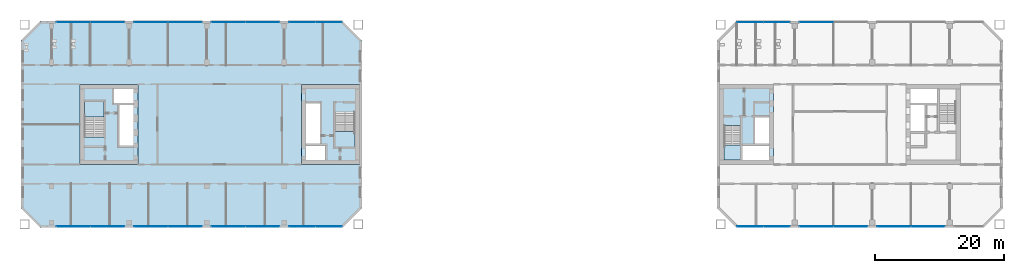
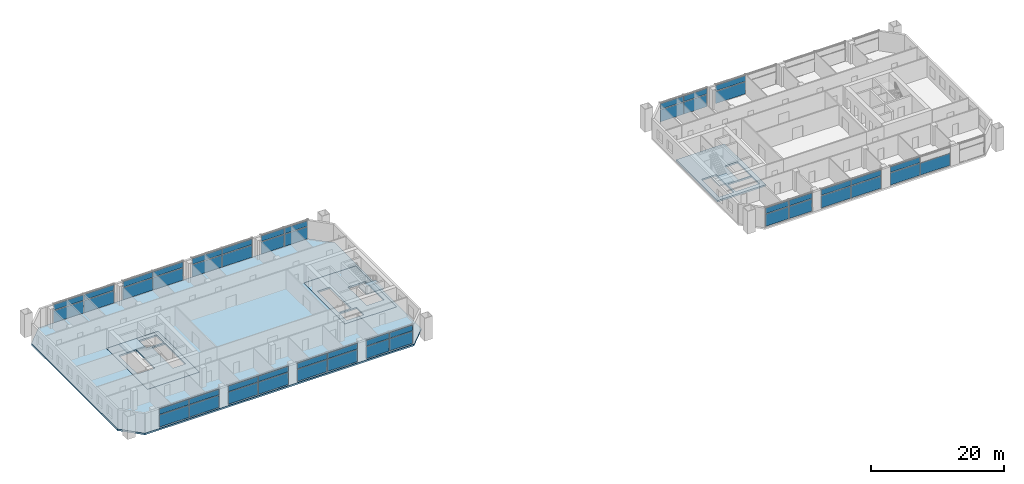
# One storey, part 8 of 19: 49 plates, 7 slabs, 16 elements without a shape of their own.
"""IFC4 building model written with IfcOpenShell, lengths in metres."""

from ifc_helpers import new_model, si_unit, direction, frame, origin, origin_2d, place, context, subcontext, project, spatial, polyline, rectangle, outline, extrude, material, layer, layer_set, type_object, element, aggregate, save


model = new_model("IFC4")

# Units and contexts
model_context = context("Model", 3, precision=1e-05, world=origin(), true_north=direction((0.0, 1.0)))
body_context = subcontext(model_context, "Body", "Model", "MODEL_VIEW")
ifc_project = project(units=[si_unit("LENGTHUNIT", "METRE"), si_unit("AREAUNIT", "SQUARE_METRE"), si_unit("VOLUMEUNIT", "CUBIC_METRE"), si_unit("PLANEANGLEUNIT", "RADIAN"), si_unit("MASSUNIT", "GRAM", prefix="KILO")], contexts=[model_context])

# Site, building, storey
site_placement = place(None, origin())
site = spatial("IfcSite", under=ifc_project, at=site_placement, CompositionType="ELEMENT")
building_placement = place(site_placement, origin())
building = spatial("IfcBuilding", under=site, at=building_placement, Name="Tuart Gate Housing", CompositionType="ELEMENT")
storey_placement = place(building_placement, frame((0.0, 0.0, 67.39990234375)))
storey = spatial("IfcBuildingStorey", under=building, at=storey_placement, Name="L18", CompositionType="ELEMENT", Elevation=67.39990234375)

# Slabs
ifc_material_1 = material(Name="Concrete C40", Category="concrete")
ifc_layer_1 = layer(ifc_material_1, 0.300048828125)
ifc_layer_set_1 = layer_set([ifc_layer_1], Name="Core floor slab 300")
slab_type_1 = type_object("IfcSlabType", Name="Core floor slab 300", PredefinedType="FLOOR", material=ifc_layer_set_1)
slab_1_placement = place(storey_placement, frame((0.0, 0.0, -0.2998046875)))
element("IfcSlab", 1, at=slab_1_placement, inside=storey, type_object=slab_type_1, Name="Core floor AG", PredefinedType="FLOOR", context=body_context, shape_type="SweptSolid", body=[
    extrude(outline(polyline([(66.639892578125, 63.800048828125), (75.639892578125, 63.800048828125), (75.639892578125, 76.199951171875), (66.639892578125, 76.199951171875), (66.639892578125, 63.800048828125)]), holes=[polyline([(67.340087890625, 64.5), (70.360107421875, 64.5), (70.360107421875, 66.699951171875), (67.340087890625, 66.699951171875), (67.340087890625, 64.5)]), polyline([(67.340087890625, 67.0), (69.5400390625, 67.0), (69.5400390625, 73.300048828125), (67.340087890625, 73.300048828125), (67.340087890625, 67.0)]), polyline([(71.889892578125, 66.35009765625), (74.93994140625, 66.35009765625), (74.93994140625, 71.929931640625), (71.889892578125, 71.929931640625), (71.889892578125, 66.35009765625)])]), origin(), (0.0, 0.0, 1.0), 0.2998046875),
])
slab_2_placement = place(storey_placement, frame((0.0, 0.0, -0.2998046875)))
element("IfcSlab", 2, at=slab_2_placement, inside=storey, type_object=slab_type_1, Name="Core floor AK", PredefinedType="FLOOR", context=body_context, shape_type="SweptSolid", body=[
    extrude(outline(polyline([(32.360107421875, 63.800048828125), (41.360107421875, 63.800048828125), (41.360107421875, 76.199951171875), (32.360107421875, 76.199951171875), (32.360107421875, 63.800048828125)]), holes=[polyline([(40.659912109375, 75.5), (37.639892578125, 75.5), (37.639892578125, 73.300048828125), (40.659912109375, 73.300048828125), (40.659912109375, 75.5)]), polyline([(40.659912109375, 73.0), (38.4599609375, 73.0), (38.4599609375, 66.699951171875), (40.659912109375, 66.699951171875), (40.659912109375, 73.0)]), polyline([(36.110107421875, 73.64990234375), (33.06005859375, 73.64990234375), (33.06005859375, 68.070068359375), (36.110107421875, 68.070068359375), (36.110107421875, 73.64990234375)])]), origin(), (0.0, 0.0, 1.0), 0.2998046875),
])
slab_3_placement = place(storey_placement, frame((0.0, 0.0, -0.2998046875)))
element("IfcSlab", 3, at=slab_3_placement, inside=storey, type_object=slab_type_1, Name="Core floor BG", PredefinedType="FLOOR", context=body_context, shape_type="SweptSolid", body=[
    extrude(outline(polyline([(131.360107421875, 63.800048828125), (139.760009765625, 63.800048828125), (139.760009765625, 76.199951171875), (131.360107421875, 76.199951171875), (131.360107421875, 63.800048828125)]), holes=[polyline([(139.06005859375, 66.85009765625), (134.909912109375, 66.85009765625), (134.909912109375, 64.5), (139.06005859375, 64.5), (139.06005859375, 66.85009765625)]), polyline([(139.06005859375, 71.10009765625), (136.860107421875, 71.10009765625), (136.860107421875, 67.0), (139.06005859375, 67.0), (139.06005859375, 71.10009765625)]), polyline([(134.610107421875, 69.830078125), (132.06005859375, 69.830078125), (132.06005859375, 64.5), (134.610107421875, 64.5), (134.610107421875, 69.830078125)])]), origin(), (0.0, 0.0, 1.0), 0.2998046875),
])
ifc_material_2 = material(Name="Concrete C40", Category="concrete")
ifc_layer_2 = layer(ifc_material_2, 0.300048828125)
ifc_layer_set_2 = layer_set([ifc_layer_2], Name="Flat plate 300")
slab_type_2 = type_object("IfcSlabType", Name="Flat plate 300", PredefinedType="FLOOR", material=ifc_layer_set_2)
slab_4_placement = place(storey_placement, frame((0.0, 0.0, -0.2998046875)))
element("IfcSlab", 4, at=slab_4_placement, inside=storey, type_object=slab_type_2, Name="Floor slab A L18", PredefinedType="FLOOR", context=body_context, shape_type="SweptSolid", body=[
    extrude(outline(polyline([(26.25, 86.0), (23.25, 83.0), (23.25, 57.0), (26.25, 54.0), (73.0, 54.0), (76.0, 57.0), (76.0, 83.0), (73.0, 86.0), (26.25, 86.0)]), holes=[polyline([(66.639892578125, 76.199951171875), (75.639892578125, 76.199951171875), (75.639892578125, 63.800048828125), (66.639892578125, 63.800048828125), (66.639892578125, 76.199951171875)]), polyline([(41.360107421875, 76.199951171875), (41.360107421875, 63.800048828125), (32.360107421875, 63.800048828125), (32.360107421875, 76.199951171875), (41.360107421875, 76.199951171875)])]), origin(), (0.0, 0.0, 1.0), 0.2998046875),
])

# Curtain wall, plates
ifc_material_3 = material(Name="Aluminium and clear glass", Category="aluminium")
curtain_wall_type = type_object("IfcCurtainWallType", Name="Community floor glazing", PredefinedType="USERDEFINED", material=ifc_material_3)
curtain_wall_1_placement = place(storey_placement, origin())
curtain_wall_1 = element("IfcCurtainWall", 5, at=curtain_wall_1_placement, inside=storey, type_object=curtain_wall_type, Name="Community floor glazing A-S L18", ObjectType="COMMUNITY FLOOR GLAZING", PredefinedType="USERDEFINED")
ifc_material_4 = material(Name="Clear glass", Category="glass")
ifc_layer_3 = layer(ifc_material_4, 0.028076171875)
ifc_layer_set_3 = layer_set([ifc_layer_3], Name="Glazed panel 28")
plate_type_1 = type_object("IfcPlateType", Name="Glazed panel 28", PredefinedType="CURTAIN_PANEL", material=ifc_layer_set_3)
plate_1_placement = place(storey_placement, frame((31.364990234375, 54.179931640625, 0.1201171875), z_axis=(0.0, 0.0, 1.0), x_axis=(1.0, 0.0, 0.0)))
plate_1 = element("IfcPlate", 6, at=plate_1_placement, type_object=plate_type_1, Name="CW3 panel 1.1", PredefinedType="CURTAIN_PANEL", context=body_context, shape_type="SweptSolid", body=[
    extrude(rectangle(XDim=5.2099609375, YDim=0.028076171875, at=origin_2d()), origin(), (0.0, 0.0, 1.0), 2.219970703125),
])
plate_2_placement = place(storey_placement, frame((31.364990234375, 54.179931640625, 2.460205078125), z_axis=(0.0, 0.0, 1.0), x_axis=(1.0, 0.0, 0.0)))
plate_2 = element("IfcPlate", 7, at=plate_2_placement, type_object=plate_type_1, Name="CW3 panel 1.2", PredefinedType="CURTAIN_PANEL", context=body_context, shape_type="SweptSolid", body=[
    extrude(rectangle(XDim=5.2099609375, YDim=0.028076171875, at=origin_2d()), origin(), (0.0, 0.0, 1.0), 1.02001953125),
])
plate_3_placement = place(storey_placement, frame((36.635009765625, 54.179931640625, 0.1201171875), z_axis=(0.0, 0.0, 1.0), x_axis=(1.0, 0.0, 0.0)))
plate_3 = element("IfcPlate", 8, at=plate_3_placement, type_object=plate_type_1, Name="CW3 panel 2.1", PredefinedType="CURTAIN_PANEL", context=body_context, shape_type="SweptSolid", body=[
    extrude(rectangle(XDim=5.2099609375, YDim=0.028076171875, at=origin_2d()), origin(), (0.0, 0.0, 1.0), 2.219970703125),
])
plate_4_placement = place(storey_placement, frame((36.635009765625, 54.179931640625, 2.460205078125), z_axis=(0.0, 0.0, 1.0), x_axis=(1.0, 0.0, 0.0)))
plate_4 = element("IfcPlate", 9, at=plate_4_placement, type_object=plate_type_1, Name="CW3 panel 2.2", PredefinedType="CURTAIN_PANEL", context=body_context, shape_type="SweptSolid", body=[
    extrude(rectangle(XDim=5.2099609375, YDim=0.028076171875, at=origin_2d()), origin(), (0.0, 0.0, 1.0), 1.02001953125),
])
aggregate(curtain_wall_1, [plate_1, plate_2, plate_3, plate_4])

curtain_wall_2_placement = place(storey_placement, origin())
curtain_wall_2 = element("IfcCurtainWall", 10, at=curtain_wall_2_placement, inside=storey, type_object=curtain_wall_type, Name="Community floor glazing A-S L18", ObjectType="COMMUNITY FLOOR GLAZING", PredefinedType="USERDEFINED")
plate_5_placement = place(storey_placement, frame((43.364990234375, 54.179931640625, 0.1201171875), z_axis=(0.0, 0.0, 1.0), x_axis=(1.0, 0.0, 0.0)))
plate_5 = element("IfcPlate", 11, at=plate_5_placement, type_object=plate_type_1, Name="CW3 panel 1.1", PredefinedType="CURTAIN_PANEL", context=body_context, shape_type="SweptSolid", body=[
    extrude(rectangle(XDim=5.2099609375, YDim=0.028076171875, at=origin_2d()), origin(), (0.0, 0.0, 1.0), 2.219970703125),
])
plate_6_placement = place(storey_placement, frame((43.364990234375, 54.179931640625, 2.460205078125), z_axis=(0.0, 0.0, 1.0), x_axis=(1.0, 0.0, 0.0)))
plate_6 = element("IfcPlate", 12, at=plate_6_placement, type_object=plate_type_1, Name="CW3 panel 1.2", PredefinedType="CURTAIN_PANEL", context=body_context, shape_type="SweptSolid", body=[
    extrude(rectangle(XDim=5.2099609375, YDim=0.028076171875, at=origin_2d()), origin(), (0.0, 0.0, 1.0), 1.02001953125),
])
plate_7_placement = place(storey_placement, frame((48.635009765625, 54.179931640625, 0.1201171875), z_axis=(0.0, 0.0, 1.0), x_axis=(1.0, 0.0, 0.0)))
plate_7 = element("IfcPlate", 13, at=plate_7_placement, type_object=plate_type_1, Name="CW3 panel 2.1", PredefinedType="CURTAIN_PANEL", context=body_context, shape_type="SweptSolid", body=[
    extrude(rectangle(XDim=5.2099609375, YDim=0.028076171875, at=origin_2d()), origin(), (0.0, 0.0, 1.0), 2.219970703125),
])
plate_8_placement = place(storey_placement, frame((48.635009765625, 54.179931640625, 2.460205078125), z_axis=(0.0, 0.0, 1.0), x_axis=(1.0, 0.0, 0.0)))
plate_8 = element("IfcPlate", 14, at=plate_8_placement, type_object=plate_type_1, Name="CW3 panel 2.2", PredefinedType="CURTAIN_PANEL", context=body_context, shape_type="SweptSolid", body=[
    extrude(rectangle(XDim=5.2099609375, YDim=0.028076171875, at=origin_2d()), origin(), (0.0, 0.0, 1.0), 1.02001953125),
])
aggregate(curtain_wall_2, [plate_5, plate_6, plate_7, plate_8])

curtain_wall_3_placement = place(storey_placement, origin())
curtain_wall_3 = element("IfcCurtainWall", 15, at=curtain_wall_3_placement, inside=storey, type_object=curtain_wall_type, Name="Community floor glazing A-S L18", ObjectType="COMMUNITY FLOOR GLAZING", PredefinedType="USERDEFINED")
plate_9_placement = place(storey_placement, frame((55.364990234375, 54.179931640625, 0.1201171875), z_axis=(0.0, 0.0, 1.0), x_axis=(1.0, 0.0, 0.0)))
plate_9 = element("IfcPlate", 16, at=plate_9_placement, type_object=plate_type_1, Name="CW3 panel 1.1", PredefinedType="CURTAIN_PANEL", context=body_context, shape_type="SweptSolid", body=[
    extrude(rectangle(XDim=5.2099609375, YDim=0.028076171875, at=origin_2d()), origin(), (0.0, 0.0, 1.0), 2.219970703125),
])
plate_10_placement = place(storey_placement, frame((55.364990234375, 54.179931640625, 2.460205078125), z_axis=(0.0, 0.0, 1.0), x_axis=(1.0, 0.0, 0.0)))
plate_10 = element("IfcPlate", 17, at=plate_10_placement, type_object=plate_type_1, Name="CW3 panel 1.2", PredefinedType="CURTAIN_PANEL", context=body_context, shape_type="SweptSolid", body=[
    extrude(rectangle(XDim=5.2099609375, YDim=0.028076171875, at=origin_2d()), origin(), (0.0, 0.0, 1.0), 1.02001953125),
])
plate_11_placement = place(storey_placement, frame((60.635009765625, 54.179931640625, 0.1201171875), z_axis=(0.0, 0.0, 1.0), x_axis=(1.0, 0.0, 0.0)))
plate_11 = element("IfcPlate", 18, at=plate_11_placement, type_object=plate_type_1, Name="CW3 panel 2.1", PredefinedType="CURTAIN_PANEL", context=body_context, shape_type="SweptSolid", body=[
    extrude(rectangle(XDim=5.2099609375, YDim=0.028076171875, at=origin_2d()), origin(), (0.0, 0.0, 1.0), 2.219970703125),
])
plate_12_placement = place(storey_placement, frame((60.635009765625, 54.179931640625, 2.460205078125), z_axis=(0.0, 0.0, 1.0), x_axis=(1.0, 0.0, 0.0)))
plate_12 = element("IfcPlate", 19, at=plate_12_placement, type_object=plate_type_1, Name="CW3 panel 2.2", PredefinedType="CURTAIN_PANEL", context=body_context, shape_type="SweptSolid", body=[
    extrude(rectangle(XDim=5.2099609375, YDim=0.028076171875, at=origin_2d()), origin(), (0.0, 0.0, 1.0), 1.02001953125),
])
aggregate(curtain_wall_3, [plate_9, plate_10, plate_11, plate_12])

curtain_wall_4_placement = place(storey_placement, origin())
curtain_wall_4 = element("IfcCurtainWall", 20, at=curtain_wall_4_placement, inside=storey, type_object=curtain_wall_type, Name="Community floor glazing A-S L18", ObjectType="COMMUNITY FLOOR GLAZING", PredefinedType="USERDEFINED")
plate_13_placement = place(storey_placement, frame((66.771484375, 54.179931640625, 0.1201171875), z_axis=(0.0, 0.0, 1.0), x_axis=(1.0, 0.0, 0.0)))
plate_13 = element("IfcPlate", 21, at=plate_13_placement, type_object=plate_type_1, Name="CW3 panel 1.1", PredefinedType="CURTAIN_PANEL", context=body_context, shape_type="SweptSolid", body=[
    extrude(rectangle(XDim=4.022705078125, YDim=0.028076171875, at=origin_2d()), origin(), (0.0, 0.0, 1.0), 2.219970703125),
])
plate_14_placement = place(storey_placement, frame((66.771484375, 54.179931640625, 2.460205078125), z_axis=(0.0, 0.0, 1.0), x_axis=(1.0, 0.0, 0.0)))
plate_14 = element("IfcPlate", 22, at=plate_14_placement, type_object=plate_type_1, Name="CW3 panel 1.2", PredefinedType="CURTAIN_PANEL", context=body_context, shape_type="SweptSolid", body=[
    extrude(rectangle(XDim=4.022705078125, YDim=0.028076171875, at=origin_2d()), origin(), (0.0, 0.0, 1.0), 1.02001953125),
])

curtain_wall_5_placement = place(storey_placement, origin())
curtain_wall_5 = element("IfcCurtainWall", 23, at=curtain_wall_5_placement, inside=storey, type_object=curtain_wall_type, Name="Community floor glazing A-N L18", ObjectType="COMMUNITY FLOOR GLAZING", PredefinedType="USERDEFINED")
plate_15_placement = place(storey_placement, frame((66.771240234375, 85.820068359375, 0.1201171875), z_axis=(0.0, 0.0, 1.0), x_axis=(-1.0, 0.0, 0.0)))
plate_15 = element("IfcPlate", 24, at=plate_15_placement, type_object=plate_type_1, Name="CW3 panel 2.1", PredefinedType="CURTAIN_PANEL", context=body_context, shape_type="SweptSolid", body=[
    extrude(rectangle(XDim=4.022705078125, YDim=0.028076171875, at=origin_2d()), origin(), (0.0, 0.0, 1.0), 2.219970703125),
])
plate_16_placement = place(storey_placement, frame((66.771240234375, 85.820068359375, 2.460205078125), z_axis=(0.0, 0.0, 1.0), x_axis=(-1.0, 0.0, 0.0)))
plate_16 = element("IfcPlate", 25, at=plate_16_placement, type_object=plate_type_1, Name="CW3 panel 2.2", PredefinedType="CURTAIN_PANEL", context=body_context, shape_type="SweptSolid", body=[
    extrude(rectangle(XDim=4.022705078125, YDim=0.028076171875, at=origin_2d()), origin(), (0.0, 0.0, 1.0), 1.02001953125),
])

curtain_wall_6_placement = place(storey_placement, origin())
curtain_wall_6 = element("IfcCurtainWall", 26, at=curtain_wall_6_placement, inside=storey, type_object=curtain_wall_type, Name="Community floor glazing A-N L18", ObjectType="COMMUNITY FLOOR GLAZING", PredefinedType="USERDEFINED")
plate_17_placement = place(storey_placement, frame((60.635009765625, 85.820068359375, 0.1201171875), z_axis=(0.0, 0.0, 1.0), x_axis=(-1.0, 0.0, 0.0)))
plate_17 = element("IfcPlate", 27, at=plate_17_placement, type_object=plate_type_1, Name="CW3 panel 1.1", PredefinedType="CURTAIN_PANEL", context=body_context, shape_type="SweptSolid", body=[
    extrude(rectangle(XDim=5.2099609375, YDim=0.028076171875, at=origin_2d()), origin(), (0.0, 0.0, 1.0), 2.219970703125),
])
plate_18_placement = place(storey_placement, frame((60.635009765625, 85.820068359375, 2.460205078125), z_axis=(0.0, 0.0, 1.0), x_axis=(-1.0, 0.0, 0.0)))
plate_18 = element("IfcPlate", 28, at=plate_18_placement, type_object=plate_type_1, Name="CW3 panel 1.2", PredefinedType="CURTAIN_PANEL", context=body_context, shape_type="SweptSolid", body=[
    extrude(rectangle(XDim=5.2099609375, YDim=0.028076171875, at=origin_2d()), origin(), (0.0, 0.0, 1.0), 1.02001953125),
])
plate_19_placement = place(storey_placement, frame((55.364990234375, 85.820068359375, 0.1201171875), z_axis=(0.0, 0.0, 1.0), x_axis=(-1.0, 0.0, 0.0)))
plate_19 = element("IfcPlate", 29, at=plate_19_placement, type_object=plate_type_1, Name="CW3 panel 2.1", PredefinedType="CURTAIN_PANEL", context=body_context, shape_type="SweptSolid", body=[
    extrude(rectangle(XDim=5.2099609375, YDim=0.028076171875, at=origin_2d()), origin(), (0.0, 0.0, 1.0), 2.219970703125),
])
plate_20_placement = place(storey_placement, frame((55.364990234375, 85.820068359375, 2.460205078125), z_axis=(0.0, 0.0, 1.0), x_axis=(-1.0, 0.0, 0.0)))
plate_20 = element("IfcPlate", 30, at=plate_20_placement, type_object=plate_type_1, Name="CW3 panel 2.2", PredefinedType="CURTAIN_PANEL", context=body_context, shape_type="SweptSolid", body=[
    extrude(rectangle(XDim=5.2099609375, YDim=0.028076171875, at=origin_2d()), origin(), (0.0, 0.0, 1.0), 1.02001953125),
])
aggregate(curtain_wall_6, [plate_17, plate_18, plate_19, plate_20])

curtain_wall_7_placement = place(storey_placement, origin())
curtain_wall_7 = element("IfcCurtainWall", 31, at=curtain_wall_7_placement, inside=storey, type_object=curtain_wall_type, Name="Community floor glazing A-N L18", ObjectType="COMMUNITY FLOOR GLAZING", PredefinedType="USERDEFINED")
plate_21_placement = place(storey_placement, frame((48.635009765625, 85.820068359375, 0.1201171875), z_axis=(0.0, 0.0, 1.0), x_axis=(-1.0, 0.0, 0.0)))
plate_21 = element("IfcPlate", 32, at=plate_21_placement, type_object=plate_type_1, Name="CW3 panel 1.1", PredefinedType="CURTAIN_PANEL", context=body_context, shape_type="SweptSolid", body=[
    extrude(rectangle(XDim=5.2099609375, YDim=0.028076171875, at=origin_2d()), origin(), (0.0, 0.0, 1.0), 2.219970703125),
])
plate_22_placement = place(storey_placement, frame((48.635009765625, 85.820068359375, 2.460205078125), z_axis=(0.0, 0.0, 1.0), x_axis=(-1.0, 0.0, 0.0)))
plate_22 = element("IfcPlate", 33, at=plate_22_placement, type_object=plate_type_1, Name="CW3 panel 1.2", PredefinedType="CURTAIN_PANEL", context=body_context, shape_type="SweptSolid", body=[
    extrude(rectangle(XDim=5.2099609375, YDim=0.028076171875, at=origin_2d()), origin(), (0.0, 0.0, 1.0), 1.02001953125),
])
plate_23_placement = place(storey_placement, frame((43.364990234375, 85.820068359375, 0.1201171875), z_axis=(0.0, 0.0, 1.0), x_axis=(-1.0, 0.0, 0.0)))
plate_23 = element("IfcPlate", 34, at=plate_23_placement, type_object=plate_type_1, Name="CW3 panel 2.1", PredefinedType="CURTAIN_PANEL", context=body_context, shape_type="SweptSolid", body=[
    extrude(rectangle(XDim=5.2099609375, YDim=0.028076171875, at=origin_2d()), origin(), (0.0, 0.0, 1.0), 2.219970703125),
])
plate_24_placement = place(storey_placement, frame((43.364990234375, 85.820068359375, 2.460205078125), z_axis=(0.0, 0.0, 1.0), x_axis=(-1.0, 0.0, 0.0)))
plate_24 = element("IfcPlate", 35, at=plate_24_placement, type_object=plate_type_1, Name="CW3 panel 2.2", PredefinedType="CURTAIN_PANEL", context=body_context, shape_type="SweptSolid", body=[
    extrude(rectangle(XDim=5.2099609375, YDim=0.028076171875, at=origin_2d()), origin(), (0.0, 0.0, 1.0), 1.02001953125),
])
aggregate(curtain_wall_7, [plate_21, plate_22, plate_23, plate_24])

curtain_wall_8_placement = place(storey_placement, origin())
curtain_wall_8 = element("IfcCurtainWall", 36, at=curtain_wall_8_placement, inside=storey, type_object=curtain_wall_type, Name="Community floor glazing A-N L18", ObjectType="COMMUNITY FLOOR GLAZING", PredefinedType="USERDEFINED")
plate_25_placement = place(storey_placement, frame((36.635009765625, 85.820068359375, 0.1201171875), z_axis=(0.0, 0.0, 1.0), x_axis=(-1.0, 0.0, 0.0)))
plate_25 = element("IfcPlate", 37, at=plate_25_placement, type_object=plate_type_1, Name="CW3 panel 1.1", PredefinedType="CURTAIN_PANEL", context=body_context, shape_type="SweptSolid", body=[
    extrude(rectangle(XDim=5.2099609375, YDim=0.028076171875, at=origin_2d()), origin(), (0.0, 0.0, 1.0), 2.219970703125),
])
plate_26_placement = place(storey_placement, frame((36.635009765625, 85.820068359375, 2.460205078125), z_axis=(0.0, 0.0, 1.0), x_axis=(-1.0, 0.0, 0.0)))
plate_26 = element("IfcPlate", 38, at=plate_26_placement, type_object=plate_type_1, Name="CW3 panel 1.2", PredefinedType="CURTAIN_PANEL", context=body_context, shape_type="SweptSolid", body=[
    extrude(rectangle(XDim=5.2099609375, YDim=0.028076171875, at=origin_2d()), origin(), (0.0, 0.0, 1.0), 1.02001953125),
])
plate_27_placement = place(storey_placement, frame((31.364990234375, 85.820068359375, 0.1201171875), z_axis=(0.0, 0.0, 1.0), x_axis=(-1.0, 0.0, 0.0)))
plate_27 = element("IfcPlate", 39, at=plate_27_placement, type_object=plate_type_1, Name="CW3 panel 2.1", PredefinedType="CURTAIN_PANEL", context=body_context, shape_type="SweptSolid", body=[
    extrude(rectangle(XDim=5.2099609375, YDim=0.028076171875, at=origin_2d()), origin(), (0.0, 0.0, 1.0), 2.219970703125),
])
plate_28_placement = place(storey_placement, frame((31.364990234375, 85.820068359375, 2.460205078125), z_axis=(0.0, 0.0, 1.0), x_axis=(-1.0, 0.0, 0.0)))
plate_28 = element("IfcPlate", 40, at=plate_28_placement, type_object=plate_type_1, Name="CW3 panel 2.2", PredefinedType="CURTAIN_PANEL", context=body_context, shape_type="SweptSolid", body=[
    extrude(rectangle(XDim=5.2099609375, YDim=0.028076171875, at=origin_2d()), origin(), (0.0, 0.0, 1.0), 1.02001953125),
])
aggregate(curtain_wall_8, [plate_25, plate_26, plate_27, plate_28])

curtain_wall_9_placement = place(storey_placement, origin())
curtain_wall_9 = element("IfcCurtainWall", 41, at=curtain_wall_9_placement, inside=storey, type_object=curtain_wall_type, Name="Community floor glazing B-S L18", ObjectType="COMMUNITY FLOOR GLAZING", PredefinedType="USERDEFINED")
plate_29_placement = place(storey_placement, frame((136.14599609375, 54.179931640625, 0.1201171875), z_axis=(0.0, 0.0, 1.0), x_axis=(1.0, 0.0, 0.0)))
plate_29 = element("IfcPlate", 42, at=plate_29_placement, type_object=plate_type_1, Name="CW3 panel 1.1", PredefinedType="CURTAIN_PANEL", context=body_context, shape_type="SweptSolid", body=[
    extrude(rectangle(XDim=4.022705078125, YDim=0.028076171875, at=origin_2d()), origin(), (0.0, 0.0, 1.0), 2.219970703125),
])
plate_30_placement = place(storey_placement, frame((140.228759765625, 54.179931640625, 0.1201171875), z_axis=(0.0, 0.0, 1.0), x_axis=(1.0, 0.0, 0.0)))
plate_30 = element("IfcPlate", 43, at=plate_30_placement, type_object=plate_type_1, Name="CW3 panel 2.1", PredefinedType="CURTAIN_PANEL", context=body_context, shape_type="SweptSolid", body=[
    extrude(rectangle(XDim=4.022705078125, YDim=0.028076171875, at=origin_2d()), origin(), (0.0, 0.0, 1.0), 2.219970703125),
])
plate_31_placement = place(storey_placement, frame((140.228759765625, 54.179931640625, 2.460205078125), z_axis=(0.0, 0.0, 1.0), x_axis=(1.0, 0.0, 0.0)))
plate_31 = element("IfcPlate", 44, at=plate_31_placement, type_object=plate_type_1, Name="CW3 panel 2.2", PredefinedType="CURTAIN_PANEL", context=body_context, shape_type="SweptSolid", body=[
    extrude(rectangle(XDim=4.022705078125, YDim=0.028076171875, at=origin_2d()), origin(), (0.0, 0.0, 1.0), 1.02001953125),
])

curtain_wall_10_placement = place(storey_placement, origin())
curtain_wall_10 = element("IfcCurtainWall", 45, at=curtain_wall_10_placement, inside=storey, type_object=curtain_wall_type, Name="Community floor glazing B-S L18", ObjectType="COMMUNITY FLOOR GLAZING", PredefinedType="USERDEFINED")
plate_32_placement = place(storey_placement, frame((146.364990234375, 54.179931640625, 0.1201171875), z_axis=(0.0, 0.0, 1.0), x_axis=(1.0, 0.0, 0.0)))
plate_32 = element("IfcPlate", 46, at=plate_32_placement, type_object=plate_type_1, Name="CW3 panel 1.1", PredefinedType="CURTAIN_PANEL", context=body_context, shape_type="SweptSolid", body=[
    extrude(rectangle(XDim=5.2099609375, YDim=0.028076171875, at=origin_2d()), origin(), (0.0, 0.0, 1.0), 2.219970703125),
])
plate_33_placement = place(storey_placement, frame((146.364990234375, 54.179931640625, 2.460205078125), z_axis=(0.0, 0.0, 1.0), x_axis=(1.0, 0.0, 0.0)))
plate_33 = element("IfcPlate", 47, at=plate_33_placement, type_object=plate_type_1, Name="CW3 panel 1.2", PredefinedType="CURTAIN_PANEL", context=body_context, shape_type="SweptSolid", body=[
    extrude(rectangle(XDim=5.2099609375, YDim=0.028076171875, at=origin_2d()), origin(), (0.0, 0.0, 1.0), 1.02001953125),
])
plate_34_placement = place(storey_placement, frame((151.635009765625, 54.179931640625, 0.1201171875), z_axis=(0.0, 0.0, 1.0), x_axis=(1.0, 0.0, 0.0)))
plate_34 = element("IfcPlate", 48, at=plate_34_placement, type_object=plate_type_1, Name="CW3 panel 2.1", PredefinedType="CURTAIN_PANEL", context=body_context, shape_type="SweptSolid", body=[
    extrude(rectangle(XDim=5.2099609375, YDim=0.028076171875, at=origin_2d()), origin(), (0.0, 0.0, 1.0), 2.219970703125),
])
plate_35_placement = place(storey_placement, frame((151.635009765625, 54.179931640625, 2.460205078125), z_axis=(0.0, 0.0, 1.0), x_axis=(1.0, 0.0, 0.0)))
plate_35 = element("IfcPlate", 49, at=plate_35_placement, type_object=plate_type_1, Name="CW3 panel 2.2", PredefinedType="CURTAIN_PANEL", context=body_context, shape_type="SweptSolid", body=[
    extrude(rectangle(XDim=5.2099609375, YDim=0.028076171875, at=origin_2d()), origin(), (0.0, 0.0, 1.0), 1.02001953125),
])
aggregate(curtain_wall_10, [plate_32, plate_33, plate_34, plate_35])

curtain_wall_11_placement = place(storey_placement, origin())
curtain_wall_11 = element("IfcCurtainWall", 50, at=curtain_wall_11_placement, inside=storey, type_object=curtain_wall_type, Name="Community floor glazing B-S L18", ObjectType="COMMUNITY FLOOR GLAZING", PredefinedType="USERDEFINED")
plate_36_placement = place(storey_placement, frame((158.364990234375, 54.179931640625, 0.1201171875), z_axis=(0.0, 0.0, 1.0), x_axis=(1.0, 0.0, 0.0)))
plate_36 = element("IfcPlate", 51, at=plate_36_placement, type_object=plate_type_1, Name="CW3 panel 1.1", PredefinedType="CURTAIN_PANEL", context=body_context, shape_type="SweptSolid", body=[
    extrude(rectangle(XDim=5.2099609375, YDim=0.028076171875, at=origin_2d()), origin(), (0.0, 0.0, 1.0), 2.219970703125),
])
plate_37_placement = place(storey_placement, frame((158.364990234375, 54.179931640625, 2.460205078125), z_axis=(0.0, 0.0, 1.0), x_axis=(1.0, 0.0, 0.0)))
plate_37 = element("IfcPlate", 52, at=plate_37_placement, type_object=plate_type_1, Name="CW3 panel 1.2", PredefinedType="CURTAIN_PANEL", context=body_context, shape_type="SweptSolid", body=[
    extrude(rectangle(XDim=5.2099609375, YDim=0.028076171875, at=origin_2d()), origin(), (0.0, 0.0, 1.0), 1.02001953125),
])
plate_38_placement = place(storey_placement, frame((163.635009765625, 54.179931640625, 0.1201171875), z_axis=(0.0, 0.0, 1.0), x_axis=(1.0, 0.0, 0.0)))
plate_38 = element("IfcPlate", 53, at=plate_38_placement, type_object=plate_type_1, Name="CW3 panel 2.1", PredefinedType="CURTAIN_PANEL", context=body_context, shape_type="SweptSolid", body=[
    extrude(rectangle(XDim=5.2099609375, YDim=0.028076171875, at=origin_2d()), origin(), (0.0, 0.0, 1.0), 2.219970703125),
])
aggregate(curtain_wall_11, [plate_36, plate_37, plate_38])

curtain_wall_12_placement = place(storey_placement, origin())
curtain_wall_12 = element("IfcCurtainWall", 54, at=curtain_wall_12_placement, inside=storey, type_object=curtain_wall_type, Name="Community floor glazing B-N L18", ObjectType="COMMUNITY FLOOR GLAZING", PredefinedType="USERDEFINED")
plate_39_placement = place(storey_placement, frame((146.364990234375, 85.820068359375, 0.1201171875), z_axis=(0.0, 0.0, 1.0), x_axis=(-1.0, 0.0, 0.0)))
plate_39 = element("IfcPlate", 55, at=plate_39_placement, type_object=plate_type_1, Name="CW3 panel 2.1", PredefinedType="CURTAIN_PANEL", context=body_context, shape_type="SweptSolid", body=[
    extrude(rectangle(XDim=5.2099609375, YDim=0.028076171875, at=origin_2d()), origin(), (0.0, 0.0, 1.0), 2.219970703125),
])
plate_40_placement = place(storey_placement, frame((146.364990234375, 85.820068359375, 2.460205078125), z_axis=(0.0, 0.0, 1.0), x_axis=(-1.0, 0.0, 0.0)))
plate_40 = element("IfcPlate", 56, at=plate_40_placement, type_object=plate_type_1, Name="CW3 panel 2.2", PredefinedType="CURTAIN_PANEL", context=body_context, shape_type="SweptSolid", body=[
    extrude(rectangle(XDim=5.2099609375, YDim=0.028076171875, at=origin_2d()), origin(), (0.0, 0.0, 1.0), 1.02001953125),
])
aggregate(curtain_wall_12, [plate_39, plate_40])

curtain_wall_13_placement = place(storey_placement, origin())
curtain_wall_13 = element("IfcCurtainWall", 57, at=curtain_wall_13_placement, inside=storey, type_object=curtain_wall_type, Name="Community floor glazing B-N L18", ObjectType="COMMUNITY FLOOR GLAZING", PredefinedType="USERDEFINED")
plate_41_placement = place(storey_placement, frame((140.228515625, 85.820068359375, 0.1201171875), z_axis=(0.0, 0.0, 1.0), x_axis=(-1.0, 0.0, 0.0)))
plate_41 = element("IfcPlate", 58, at=plate_41_placement, type_object=plate_type_1, Name="CW3 panel 1.1", PredefinedType="CURTAIN_PANEL", context=body_context, shape_type="SweptSolid", body=[
    extrude(rectangle(XDim=4.022705078125, YDim=0.028076171875, at=origin_2d()), origin(), (0.0, 0.0, 1.0), 2.219970703125),
])
plate_42_placement = place(storey_placement, frame((140.228515625, 85.820068359375, 2.460205078125), z_axis=(0.0, 0.0, 1.0), x_axis=(-1.0, 0.0, 0.0)))
plate_42 = element("IfcPlate", 59, at=plate_42_placement, type_object=plate_type_1, Name="CW3 panel 1.2", PredefinedType="CURTAIN_PANEL", context=body_context, shape_type="SweptSolid", body=[
    extrude(rectangle(XDim=4.022705078125, YDim=0.028076171875, at=origin_2d()), origin(), (0.0, 0.0, 1.0), 1.02001953125),
])
plate_43_placement = place(storey_placement, frame((136.14599609375, 85.820068359375, 0.1201171875), z_axis=(0.0, 0.0, 1.0), x_axis=(-1.0, 0.0, 0.0)))
plate_43 = element("IfcPlate", 60, at=plate_43_placement, type_object=plate_type_1, Name="CW3 panel 2.1", PredefinedType="CURTAIN_PANEL", context=body_context, shape_type="SweptSolid", body=[
    extrude(rectangle(XDim=4.022705078125, YDim=0.028076171875, at=origin_2d()), origin(), (0.0, 0.0, 1.0), 2.219970703125),
])

# Plate
ifc_material_5 = material(Name="Insulated aluminium panel", Category="aluminium")
ifc_layer_4 = layer(ifc_material_5, 0.028076171875)
ifc_layer_set_4 = layer_set([ifc_layer_4], Name="Insulated opaque panel 28")
plate_type_2 = type_object("IfcPlateType", Name="Insulated opaque panel 28", PredefinedType="CURTAIN_PANEL", material=ifc_layer_set_4)
plate_44_placement = place(storey_placement, frame((70.85400390625, 54.179931640625, 0.1201171875), z_axis=(0.0, 0.0, 1.0), x_axis=(1.0, 0.0, 0.0)))
plate_44 = element("IfcPlate", 61, at=plate_44_placement, type_object=plate_type_2, Name="CW3 opaque panel 2.1", PredefinedType="CURTAIN_PANEL", context=body_context, shape_type="SweptSolid", body=[
    extrude(rectangle(XDim=4.022705078125, YDim=0.028076171875, at=origin_2d()), origin(), (0.0, 0.0, 1.0), 2.219970703125),
])

plate_45_placement = place(storey_placement, frame((70.85400390625, 54.179931640625, 2.460205078125), z_axis=(0.0, 0.0, 1.0), x_axis=(1.0, 0.0, 0.0)))
plate_45 = element("IfcPlate", 62, at=plate_45_placement, type_object=plate_type_2, Name="CW3 opaque panel 2.2", PredefinedType="CURTAIN_PANEL", context=body_context, shape_type="SweptSolid", body=[
    extrude(rectangle(XDim=4.022705078125, YDim=0.028076171875, at=origin_2d()), origin(), (0.0, 0.0, 1.0), 1.02001953125),
])

aggregate(curtain_wall_4, [plate_13, plate_14, plate_44, plate_45])

plate_46_placement = place(storey_placement, frame((70.85400390625, 85.820068359375, 0.1201171875), z_axis=(0.0, 0.0, 1.0), x_axis=(-1.0, 0.0, 0.0)))
plate_46 = element("IfcPlate", 63, at=plate_46_placement, type_object=plate_type_2, Name="CW3 opaque panel 1.1", PredefinedType="CURTAIN_PANEL", context=body_context, shape_type="SweptSolid", body=[
    extrude(rectangle(XDim=4.022705078125, YDim=0.028076171875, at=origin_2d()), origin(), (0.0, 0.0, 1.0), 2.219970703125),
])

plate_47_placement = place(storey_placement, frame((70.85400390625, 85.820068359375, 2.460205078125), z_axis=(0.0, 0.0, 1.0), x_axis=(-1.0, 0.0, 0.0)))
plate_47 = element("IfcPlate", 64, at=plate_47_placement, type_object=plate_type_2, Name="CW3 opaque panel 1.2", PredefinedType="CURTAIN_PANEL", context=body_context, shape_type="SweptSolid", body=[
    extrude(rectangle(XDim=4.022705078125, YDim=0.028076171875, at=origin_2d()), origin(), (0.0, 0.0, 1.0), 1.02001953125),
])

aggregate(curtain_wall_5, [plate_46, plate_47, plate_15, plate_16])

plate_48_placement = place(storey_placement, frame((136.14599609375, 54.179931640625, 2.460205078125), z_axis=(0.0, 0.0, 1.0), x_axis=(1.0, 0.0, 0.0)))
plate_48 = element("IfcPlate", 65, at=plate_48_placement, type_object=plate_type_2, Name="CW3 opaque panel 1.2", PredefinedType="CURTAIN_PANEL", context=body_context, shape_type="SweptSolid", body=[
    extrude(rectangle(XDim=4.022705078125, YDim=0.028076171875, at=origin_2d()), origin(), (0.0, 0.0, 1.0), 1.02001953125),
])

aggregate(curtain_wall_9, [plate_29, plate_48, plate_30, plate_31])

plate_49_placement = place(storey_placement, frame((136.14599609375, 85.820068359375, 2.460205078125), z_axis=(0.0, 0.0, 1.0), x_axis=(-1.0, 0.0, 0.0)))
plate_49 = element("IfcPlate", 66, at=plate_49_placement, type_object=plate_type_2, Name="CW3 opaque panel 2.2", PredefinedType="CURTAIN_PANEL", context=body_context, shape_type="SweptSolid", body=[
    extrude(rectangle(XDim=4.022705078125, YDim=0.028076171875, at=origin_2d()), origin(), (0.0, 0.0, 1.0), 1.02001953125),
])

aggregate(curtain_wall_13, [plate_41, plate_42, plate_43, plate_49])

# Stair, slab
ifc_material_6 = material(Name="Concrete C40", Category="concrete")
stair_type_1 = type_object("IfcStairType", Name="Core stair 1500", PredefinedType="HALF_TURN_STAIR", material=ifc_material_6)
stair_1_placement = place(storey_placement, origin())
stair_1 = element("IfcStair", 67, at=stair_1_placement, inside=storey, type_object=stair_type_1, Name="Stair SA1", PredefinedType="HALF_TURN_STAIR")
ifc_material_7 = material(Name="Concrete C40", Category="concrete")
ifc_layer_5 = layer(ifc_material_7, 0.199951171875)
ifc_layer_set_5 = layer_set([ifc_layer_5], Name="Stair landing 200")
slab_type_3 = type_object("IfcSlabType", Name="Stair landing 200", PredefinedType="LANDING", material=ifc_layer_set_5)
slab_5_placement = place(storey_placement, frame((0.0, 0.0, 1.900146484375)))
slab_5 = element("IfcSlab", 68, at=slab_5_placement, type_object=slab_type_3, Name="SA1 landing 1", PredefinedType="LANDING", context=body_context, shape_type="SweptSolid", body=[
    extrude(outline(polyline([(71.889892578125, 66.35009765625), (74.93994140625, 66.35009765625), (74.93994140625, 68.8701171875), (71.889892578125, 68.8701171875), (71.889892578125, 66.35009765625)])), origin(), (0.0, 0.0, 1.0), 0.199951171875),
])
aggregate(stair_1, [slab_5])

stair_2_placement = place(storey_placement, origin())
stair_2 = element("IfcStair", 69, at=stair_2_placement, inside=storey, type_object=stair_type_1, Name="Stair SA2", PredefinedType="HALF_TURN_STAIR")
slab_6_placement = place(storey_placement, frame((0.0, 0.0, 1.900146484375)))
slab_6 = element("IfcSlab", 70, at=slab_6_placement, type_object=slab_type_3, Name="SA2 landing 1", PredefinedType="LANDING", context=body_context, shape_type="SweptSolid", body=[
    extrude(outline(polyline([(36.110107421875, 73.64990234375), (33.06005859375, 73.64990234375), (33.06005859375, 71.1298828125), (36.110107421875, 71.1298828125), (36.110107421875, 73.64990234375)])), origin(), (0.0, 0.0, 1.0), 0.199951171875),
])
aggregate(stair_2, [slab_6])

ifc_material_8 = material(Name="Concrete C40", Category="concrete")
stair_type_2 = type_object("IfcStairType", Name="Core stair 1250", PredefinedType="HALF_TURN_STAIR", material=ifc_material_8)
stair_3_placement = place(storey_placement, origin())
stair_3 = element("IfcStair", 71, at=stair_3_placement, inside=storey, type_object=stair_type_2, Name="Stair SB1", PredefinedType="HALF_TURN_STAIR")
slab_7_placement = place(storey_placement, frame((0.0, 0.0, 1.900146484375)))
slab_7 = element("IfcSlab", 72, at=slab_7_placement, type_object=slab_type_3, Name="SB1 landing 1", PredefinedType="LANDING", context=body_context, shape_type="SweptSolid", body=[
    extrude(outline(polyline([(134.610107421875, 66.77001953125), (132.06005859375, 66.77001953125), (132.06005859375, 64.5), (134.610107421875, 64.5), (134.610107421875, 66.77001953125)])), origin(), (0.0, 0.0, 1.0), 0.199951171875),
])
aggregate(stair_3, [slab_7])

save(model, "model.ifc")
